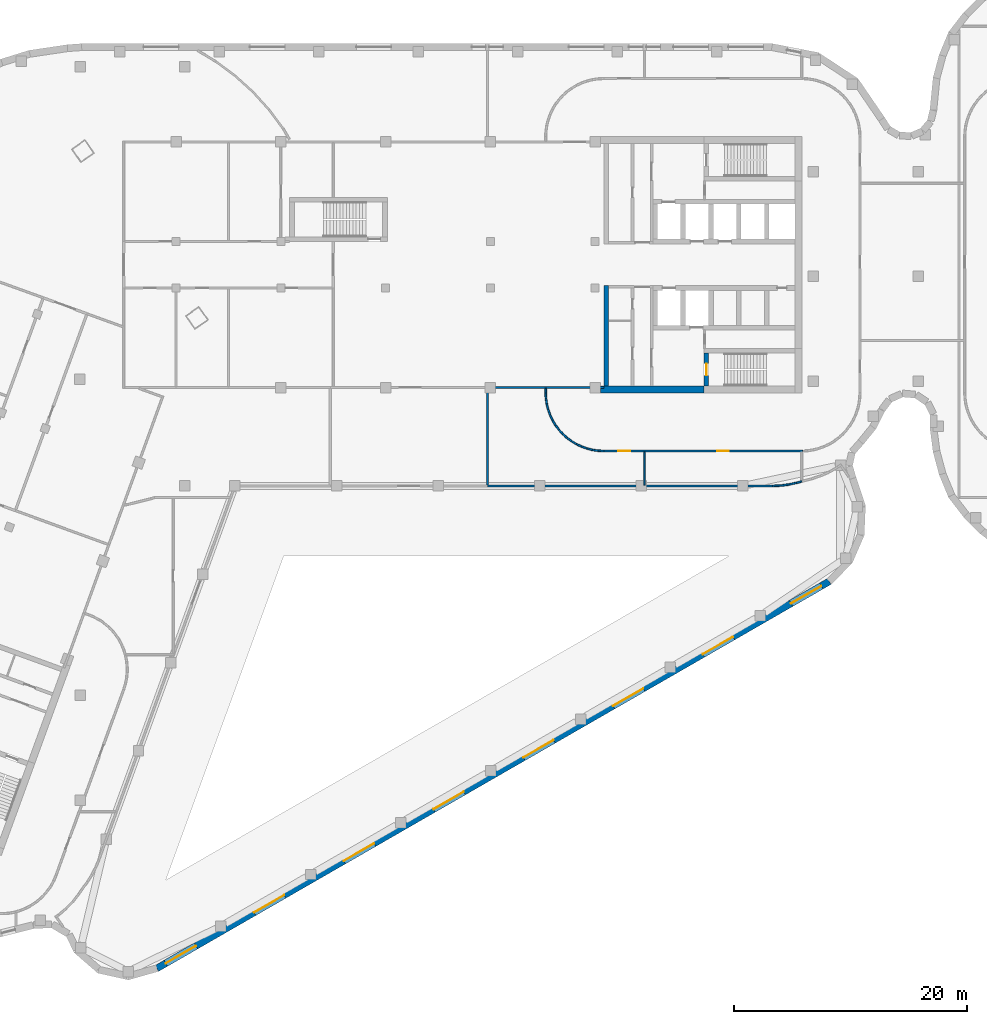
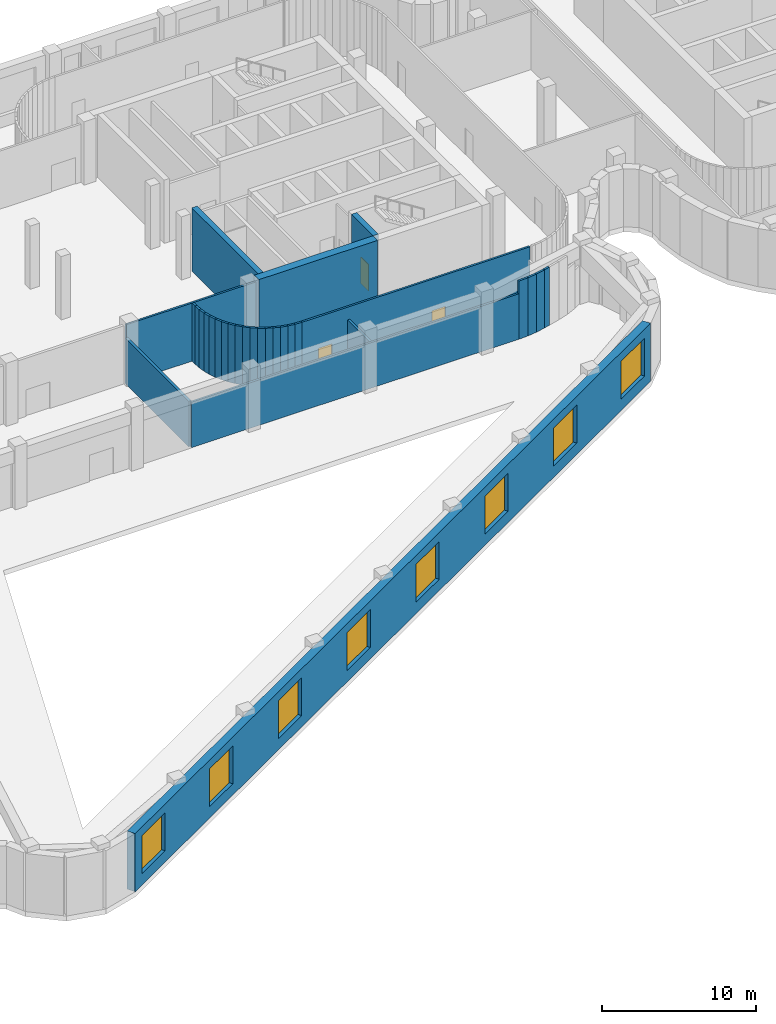
# One storey, part 8 of 20: 30 walls, 8 windows, 3 doors, 11 openings.
"""IFC4 building model written with IfcOpenShell, lengths in metres."""

from ifc_helpers import new_model, si_unit, direction, frame, frame_2d, origin, place, context, subcontext, project, spatial, rectangle, extrude, material, layer, layer_set, type_object, element, fill, save


model = new_model("IFC4")

# Units and contexts
model_context = context("Model", 3, precision=1e-05, world=origin(), true_north=direction((0.0, 1.0)))
body_context = subcontext(model_context, "Body", "Model", "MODEL_VIEW")
ifc_project = project(units=[si_unit("LENGTHUNIT", "METRE"), si_unit("AREAUNIT", "SQUARE_METRE"), si_unit("VOLUMEUNIT", "CUBIC_METRE"), si_unit("PLANEANGLEUNIT", "RADIAN"), si_unit("MASSUNIT", "GRAM", prefix="KILO")], contexts=[model_context])

# Site, building, storey
site_placement = place(None, origin())
site = spatial("IfcSite", under=ifc_project, at=site_placement, CompositionType="ELEMENT")
building_placement = place(site_placement, origin())
building = spatial("IfcBuilding", under=site, at=building_placement, Name="Skarvind Civic Tower", CompositionType="ELEMENT")
storey_placement = place(building_placement, frame((0.0, 0.0, 17.5)))
storey = spatial("IfcBuildingStorey", under=building, at=storey_placement, Name="L03", CompositionType="ELEMENT", Elevation=17.5)

# Wall, opening, door
ifc_material_1 = material(Name="Concrete C80", Category="concrete")
ifc_layer_1 = layer(ifc_material_1, 0.39990234375)
ifc_layer_set_1 = layer_set([ifc_layer_1], Name="Core wall 400 C80")
wall_type_1 = type_object("IfcWallType", Name="Core wall 400 C80", PredefinedType="SHEAR", material=ifc_layer_set_1)
wall_1_placement = place(storey_placement, frame((99.800048828125, 120.39990234375, 0.0), z_axis=(0.0, 0.0, 1.0), x_axis=(0.0, -1.0, 0.0)))
wall_1 = element("IfcWall", 1, at=wall_1_placement, inside=storey, type_object=wall_type_1, Name="Core wall C1 north stair end L03", PredefinedType="SHEAR", context=body_context, shape_type="SweptSolid", body=[
    extrude(rectangle(XDim=2.7998046875, YDim=0.39990234375, at=frame_2d((1.39990234375, 0.0))), origin(), (0.0, 0.0, 1.0), 5.0),
])
opening_1_placement = place(wall_1_placement, frame((0.89990234375, 0.0, 0.0)))
opening_1 = element("IfcOpeningElement", 2, at=opening_1_placement, cuts=wall_1, Name="Opening D-L03-C1-07", PredefinedType="OPENING", context=body_context, shape_type="SweptSolid", body=[
    extrude(rectangle(XDim=1.0, YDim=2.10009765625, at=frame_2d((0.5, 1.050048828125))), frame((0.0, 0.2099609375, 0.0), z_axis=(0.0, -1.0, 0.0), x_axis=(1.0, 0.0, 0.0)), (0.0, 0.0, 1.0), 0.419921875),
])
ifc_material_2 = material(Name="Fire-rated steel door", Category="steel")
door_type_1 = type_object("IfcDoorType", Name="Fire door 1000", OperationType="NOTDEFINED", PredefinedType="DOOR", material=ifc_material_2)
door_1_placement = place(opening_1_placement, origin())
door_1 = element("IfcDoor", 3, at=door_1_placement, inside=storey, type_object=door_type_1, Name="Fire door", OperationType="SINGLE_SWING_LEFT", OverallHeight=2.10009765625, OverallWidth=1.0, PredefinedType="DOOR", context=body_context, shape_type="SweptSolid", body=[
    extrude(rectangle(XDim=1.0, YDim=2.10009765625, at=frame_2d((0.5, 1.050048828125))), frame((0.0, 0.02490234375, 0.0), z_axis=(0.0, -1.0, 0.0), x_axis=(1.0, 0.0, 0.0)), (0.0, 0.0, 1.0), 0.050048828125),
])
fill(opening_1, door_1)

# Walls
wall_2_placement = place(storey_placement, frame((91.199951171875, 126.199951171875, 0.0), z_axis=(0.0, 0.0, 1.0), x_axis=(0.0, -1.0, 0.0)))
element("IfcWall", 4, at=wall_2_placement, inside=storey, type_object=wall_type_1, Name="Core wall C1 north inner face L03", PredefinedType="SHEAR", context=body_context, shape_type="SweptSolid", body=[
    extrude(rectangle(XDim=8.599853515625, YDim=0.39990234375, at=frame_2d((4.2998046875, 0.0))), origin(), (0.0, 0.0, 1.0), 5.0),
])
ifc_layer_2 = layer(ifc_material_1, 0.60009765625)
ifc_layer_set_2 = layer_set([ifc_layer_2], Name="Core wall 600 C80")
wall_type_2 = type_object("IfcWallType", Name="Core wall 600 C80", PredefinedType="SHEAR", material=ifc_layer_set_2)
wall_3_placement = place(storey_placement, frame((99.60009765625, 117.300048828125, 0.0), z_axis=(0.0, 0.0, 1.0), x_axis=(-1.0, 0.0, 0.0)))
element("IfcWall", 5, at=wall_3_placement, inside=storey, type_object=wall_type_2, Name="Core wall C1 north side L03", PredefinedType="SHEAR", context=body_context, shape_type="SweptSolid", body=[
    extrude(rectangle(XDim=8.900146484375, YDim=0.60009765625, at=frame_2d((4.4501953125, 0.0))), origin(), (0.0, 0.0, 1.0), 5.0),
])
ifc_material_3 = material(Name="Fire-rated blockwork wall, plastered", Category="masonry")
ifc_layer_3 = layer(ifc_material_3, 0.199951171875)
ifc_layer_set_3 = layer_set([ifc_layer_3], Name="FIRE WALL 200 EI 60")
wall_type_3 = type_object("IfcWallType", Name="FIRE WALL 200 EI 60", PredefinedType="PARTITIONING", material=ifc_layer_set_3)
wall_4_placement = place(storey_placement, frame((81.0, 109.10009765625, 0.0), z_axis=(0.0, 0.0, 1.0), x_axis=(0.0, 1.0, 0.0)))
element("IfcWall", 6, at=wall_4_placement, inside=storey, type_object=wall_type_3, Name="Podium partition L03 147", PredefinedType="PARTITIONING", context=body_context, shape_type="SweptSolid", body=[
    extrude(rectangle(XDim=8.25, YDim=0.199951171875, at=frame_2d((4.125, 0.0))), origin(), (0.0, 0.0, 1.0), 3.60009765625),
])
ifc_material_4 = material(Name="Plasterboard partition on steel studs", Category="steel")
ifc_layer_4 = layer(ifc_material_4, 0.14990234375)
ifc_layer_set_4 = layer_set([ifc_layer_4], Name="PARTITION 150")
wall_type_4 = type_object("IfcWallType", Name="PARTITION 150", PredefinedType="PARTITIONING", material=ifc_layer_set_4)
wall_5_placement = place(storey_placement, frame((81.0, 109.0, 0.0), z_axis=(0.0, 0.0, 1.0), x_axis=(1.0, 0.0, 0.0)))
element("IfcWall", 7, at=wall_5_placement, inside=storey, type_object=wall_type_4, Name="Podium partition L03 148", PredefinedType="PARTITIONING", context=body_context, shape_type="SweptSolid", body=[
    extrude(rectangle(XDim=24.5, YDim=0.14990234375, at=frame_2d((12.25, 0.0))), origin(), (0.0, 0.0, 1.0), 3.60009765625),
])
wall_6_placement = place(storey_placement, frame((81.0, 117.449951171875, 0.0), z_axis=(0.0, 0.0, 1.0), x_axis=(1.0, 0.0, 0.0)))
element("IfcWall", 8, at=wall_6_placement, inside=storey, type_object=wall_type_4, Name="Podium partition L03 149", PredefinedType="PARTITIONING", context=body_context, shape_type="SweptSolid", body=[
    extrude(rectangle(XDim=10.0, YDim=0.14990234375, at=frame_2d((5.0, 0.0))), origin(), (0.0, 0.0, 1.0), 4.60009765625),
])
wall_7_placement = place(storey_placement, frame((86.0, 116.998046875, 0.0), z_axis=(0.0, 0.0, 1.0), x_axis=(0.0, 1.0, 0.0)))
element("IfcWall", 9, at=wall_7_placement, inside=storey, type_object=wall_type_4, Name="Podium partition L03 151", PredefinedType="PARTITIONING", context=body_context, shape_type="SweptSolid", body=[
    extrude(rectangle(XDim=0.376953125, YDim=0.14990234375, at=frame_2d((0.1884765625, 0.0))), origin(), (0.0, 0.0, 1.0), 4.60009765625),
])
wall_8_placement = place(storey_placement, frame((86.0, 117.001953125, 0.0), z_axis=(0.0, 0.0, 1.0), x_axis=(0.048196018647, -0.998837896651, 0.0)))
element("IfcWall", 10, at=wall_8_placement, inside=storey, type_object=wall_type_4, Name="Podium partition L03 152", PredefinedType="PARTITIONING", context=body_context, shape_type="SweptSolid", body=[
    extrude(rectangle(XDim=0.496337890625, YDim=0.14990234375, at=frame_2d((0.248046875, 0.0))), origin(), (0.0, 0.0, 1.0), 4.60009765625),
])
wall_9_placement = place(storey_placement, frame((86.02294921875, 116.513916015625, 0.0), z_axis=(0.0, 0.0, 1.0), x_axis=(0.148412307247, -0.988925572052, 0.0)))
element("IfcWall", 11, at=wall_9_placement, inside=storey, type_object=wall_type_4, Name="Podium partition L03 155", PredefinedType="PARTITIONING", context=body_context, shape_type="SweptSolid", body=[
    extrude(rectangle(XDim=0.49853515625, YDim=0.14990234375, at=frame_2d((0.249267578125, 0.0))), origin(), (0.0, 0.0, 1.0), 4.60009765625),
])
wall_10_placement = place(storey_placement, frame((86.094970703125, 116.029052734375, 0.0), z_axis=(0.0, 0.0, 1.0), x_axis=(0.242650732785, -0.970113715952, 0.0)))
element("IfcWall", 12, at=wall_10_placement, inside=storey, type_object=wall_type_4, Name="Podium partition L03 157", PredefinedType="PARTITIONING", context=body_context, shape_type="SweptSolid", body=[
    extrude(rectangle(XDim=0.4990234375, YDim=0.14990234375, at=frame_2d((0.24951171875, 0.0))), origin(), (0.0, 0.0, 1.0), 4.60009765625),
])
for number, where, z_axis, x_axis, name in (
    (13, (86.214111328125, 115.552978515625, 0.0), (0.0, 0.0, 1.0), (0.3371744988, -0.941442168887, 0.0), "Podium partition L03 159"),
    (14, (86.37890625, 115.090087890625, 0.0), (0.0, 0.0, 1.0), (0.427896709028, -0.903827641978, 0.0), "Podium partition L03 161"),
):
    element("IfcWall", number, at=place(storey_placement, frame(where, z_axis=z_axis, x_axis=x_axis)), inside=storey, type_object=wall_type_4, Name=name, PredefinedType="PARTITIONING", context=body_context, shape_type="SweptSolid", body=[
        extrude(rectangle(XDim=0.498046875, YDim=0.14990234375, at=frame_2d((0.2490234375, 0.0))), origin(), (0.0, 0.0, 1.0), 4.60009765625),
    ])
wall_11_placement = place(storey_placement, frame((86.587890625, 114.64599609375, 0.0), z_axis=(0.0, 0.0, 1.0), x_axis=(0.515791778052, -0.85671397893, 0.0)))
element("IfcWall", 15, at=wall_11_placement, inside=storey, type_object=wall_type_4, Name="Podium partition L03 163", PredefinedType="PARTITIONING", context=body_context, shape_type="SweptSolid", body=[
    extrude(rectangle(XDim=0.49853515625, YDim=0.14990234375, at=frame_2d((0.249267578125, 0.0))), origin(), (0.0, 0.0, 1.0), 4.60009765625),
])
wall_12_placement = place(storey_placement, frame((86.841064453125, 114.22509765625, 0.0), z_axis=(0.0, 0.0, 1.0), x_axis=(0.594570362092, -0.80404358372, 0.0)))
element("IfcWall", 16, at=wall_12_placement, inside=storey, type_object=wall_type_4, Name="Podium partition L03 165", PredefinedType="PARTITIONING", context=body_context, shape_type="SweptSolid", body=[
    extrude(rectangle(XDim=0.49755859375, YDim=0.14990234375, at=frame_2d((0.248779296875, 0.0))), origin(), (0.0, 0.0, 1.0), 4.60009765625),
])
for number, where, z_axis, x_axis, name in (
    (17, (87.133056640625, 113.8310546875, 0.0), (0.0, 0.0, 1.0), (0.66993818776, -0.742416880587, 0.0), "Podium partition L03 167"),
    (18, (87.4609375, 113.467041015625, 0.0), (0.0, 0.0, 1.0), (0.742416880587, -0.66993818776, 0.0), "Podium partition L03 169"),
):
    element("IfcWall", number, at=place(storey_placement, frame(where, z_axis=z_axis, x_axis=x_axis)), inside=storey, type_object=wall_type_4, Name=name, PredefinedType="PARTITIONING", context=body_context, shape_type="SweptSolid", body=[
        extrude(rectangle(XDim=0.49853515625, YDim=0.14990234375, at=frame_2d((0.249267578125, 0.0))), origin(), (0.0, 0.0, 1.0), 4.60009765625),
    ])
wall_13_placement = place(storey_placement, frame((87.824951171875, 113.136962890625, 0.0), z_axis=(0.0, 0.0, 1.0), x_axis=(0.80404358372, -0.594570362092, 0.0)))
element("IfcWall", 19, at=wall_13_placement, inside=storey, type_object=wall_type_4, Name="Podium partition L03 171", PredefinedType="PARTITIONING", context=body_context, shape_type="SweptSolid", body=[
    extrude(rectangle(XDim=0.49755859375, YDim=0.14990234375, at=frame_2d((0.248779296875, 0.0))), origin(), (0.0, 0.0, 1.0), 4.60009765625),
])
wall_14_placement = place(storey_placement, frame((88.218994140625, 112.844970703125, 0.0), z_axis=(0.0, 0.0, 1.0), x_axis=(0.85671397893, -0.515791778052, 0.0)))
element("IfcWall", 20, at=wall_14_placement, inside=storey, type_object=wall_type_4, Name="Podium partition L03 173", PredefinedType="PARTITIONING", context=body_context, shape_type="SweptSolid", body=[
    extrude(rectangle(XDim=0.49853515625, YDim=0.14990234375, at=frame_2d((0.249267578125, 0.0))), origin(), (0.0, 0.0, 1.0), 4.60009765625),
])
for number, where, z_axis, x_axis, name in (
    (21, (88.639892578125, 112.592041015625, 0.0), (0.0, 0.0, 1.0), (0.903827641978, -0.427896709028, 0.0), "Podium partition L03 175"),
    (22, (89.083984375, 112.382080078125, 0.0), (0.0, 0.0, 1.0), (0.941442168887, -0.3371744988, 0.0), "Podium partition L03 177"),
):
    element("IfcWall", number, at=place(storey_placement, frame(where, z_axis=z_axis, x_axis=x_axis)), inside=storey, type_object=wall_type_4, Name=name, PredefinedType="PARTITIONING", context=body_context, shape_type="SweptSolid", body=[
        extrude(rectangle(XDim=0.498046875, YDim=0.14990234375, at=frame_2d((0.2490234375, 0.0))), origin(), (0.0, 0.0, 1.0), 4.60009765625),
    ])
wall_15_placement = place(storey_placement, frame((89.544921875, 112.216064453125, 0.0), z_axis=(0.0, 0.0, 1.0), x_axis=(0.970113715952, -0.242650732785, 0.0)))
element("IfcWall", 23, at=wall_15_placement, inside=storey, type_object=wall_type_4, Name="Podium partition L03 179", PredefinedType="PARTITIONING", context=body_context, shape_type="SweptSolid", body=[
    extrude(rectangle(XDim=0.4990234375, YDim=0.14990234375, at=frame_2d((0.24951171875, 0.0))), origin(), (0.0, 0.0, 1.0), 4.60009765625),
])
wall_16_placement = place(storey_placement, frame((90.02099609375, 112.096923828125, 0.0), z_axis=(0.0, 0.0, 1.0), x_axis=(0.988925572052, -0.148412307247, 0.0)))
element("IfcWall", 24, at=wall_16_placement, inside=storey, type_object=wall_type_4, Name="Podium partition L03 181", PredefinedType="PARTITIONING", context=body_context, shape_type="SweptSolid", body=[
    extrude(rectangle(XDim=0.49853515625, YDim=0.14990234375, at=frame_2d((0.249267578125, 0.0))), origin(), (0.0, 0.0, 1.0), 4.60009765625),
])
wall_17_placement = place(storey_placement, frame((90.506103515625, 112.02392578125, 0.0), z_axis=(0.0, 0.0, 1.0), x_axis=(0.998837896651, -0.048196018647, 0.0)))
element("IfcWall", 25, at=wall_17_placement, inside=storey, type_object=wall_type_4, Name="Podium partition L03 183", PredefinedType="PARTITIONING", context=body_context, shape_type="SweptSolid", body=[
    extrude(rectangle(XDim=0.496337890625, YDim=0.14990234375, at=frame_2d((0.248046875, 0.0))), origin(), (0.0, 0.0, 1.0), 4.60009765625),
])

# Wall, openings, doors
wall_18_placement = place(storey_placement, frame((108.074951171875, 112.0, 0.0), z_axis=(0.0, 0.0, 1.0), x_axis=(-1.0, 0.0, 0.0)))
wall_18 = element("IfcWall", 26, at=wall_18_placement, inside=storey, type_object=wall_type_4, Name="Podium partition L03 185", PredefinedType="PARTITIONING", context=body_context, shape_type="SweptSolid", body=[
    extrude(rectangle(XDim=17.076904296875, YDim=0.14990234375, at=frame_2d((8.53857421875, 0.0))), origin(), (0.0, 0.0, 1.0), 4.60009765625),
])
opening_2_placement = place(wall_18_placement, frame((14.822998046875, 0.0, 0.0)))
opening_2 = element("IfcOpeningElement", 27, at=opening_2_placement, cuts=wall_18, Name="Opening L03-D226", PredefinedType="OPENING", context=body_context, shape_type="SweptSolid", body=[
    extrude(rectangle(XDim=1.0, YDim=2.10009765625, at=frame_2d((0.5, 1.050048828125))), frame((0.0, 0.0849609375, 0.0), z_axis=(0.0, -1.0, 0.0), x_axis=(1.0, 0.0, 0.0)), (0.0, 0.0, 1.0), 0.169921875),
])
opening_3_placement = place(wall_18_placement, frame((6.326904296875, 0.0, 0.0)))
opening_3 = element("IfcOpeningElement", 28, at=opening_3_placement, cuts=wall_18, Name="Opening L03-D228", PredefinedType="OPENING", context=body_context, shape_type="SweptSolid", body=[
    extrude(rectangle(XDim=1.0, YDim=2.10009765625, at=frame_2d((0.5, 1.050048828125))), frame((0.0, 0.0849609375, 0.0), z_axis=(0.0, -1.0, 0.0), x_axis=(1.0, 0.0, 0.0)), (0.0, 0.0, 1.0), 0.169921875),
])
ifc_material_5 = material(Name="Timber veneer door leaf", Category="wood")
door_type_2 = type_object("IfcDoorType", Name="DOOR 1000X2100 TIMBER", OperationType="NOTDEFINED", PredefinedType="DOOR", material=ifc_material_5)
door_2_placement = place(opening_2_placement, origin())
door_2 = element("IfcDoor", 29, at=door_2_placement, inside=storey, type_object=door_type_2, Name="DOOR DOOR", OperationType="SINGLE_SWING_RIGHT", OverallHeight=2.10009765625, OverallWidth=1.0, PredefinedType="DOOR", context=body_context, shape_type="SweptSolid", body=[
    extrude(rectangle(XDim=1.0, YDim=2.10009765625, at=frame_2d((0.5, 1.050048828125))), frame((0.0, 0.02490234375, 0.0), z_axis=(0.0, -1.0, 0.0), x_axis=(1.0, 0.0, 0.0)), (0.0, 0.0, 1.0), 0.050048828125),
])
fill(opening_2, door_2)
door_3_placement = place(opening_3_placement, origin())
door_3 = element("IfcDoor", 30, at=door_3_placement, inside=storey, type_object=door_type_2, Name="DOOR DOOR", OperationType="SINGLE_SWING_RIGHT", OverallHeight=2.10009765625, OverallWidth=1.0, PredefinedType="DOOR", context=body_context, shape_type="SweptSolid", body=[
    extrude(rectangle(XDim=1.0, YDim=2.10009765625, at=frame_2d((0.5, 1.050048828125))), frame((0.0, 0.02490234375, 0.0), z_axis=(0.0, -1.0, 0.0), x_axis=(1.0, 0.0, 0.0)), (0.0, 0.0, 1.0), 0.050048828125),
])
fill(opening_3, door_3)

# Walls
wall_19_placement = place(storey_placement, frame((94.5, 109.074951171875, 0.0), z_axis=(0.0, 0.0, 1.0), x_axis=(0.0, 1.0, 0.0)))
element("IfcWall", 31, at=wall_19_placement, inside=storey, type_object=wall_type_4, Name="Podium partition L03 187", PredefinedType="PARTITIONING", context=body_context, shape_type="SweptSolid", body=[
    extrude(rectangle(XDim=2.85009765625, YDim=0.14990234375, at=frame_2d((1.425048828125, 0.0))), origin(), (0.0, 0.0, 1.0), 3.60009765625),
])
wall_20_placement = place(storey_placement, frame((105.5, 109.0, 0.0), z_axis=(0.0, 0.0, 1.0), x_axis=(0.999080978163, 0.042862560277, 0.0)))
element("IfcWall", 32, at=wall_20_placement, inside=storey, type_object=wall_type_4, Name="Podium partition L03 189", PredefinedType="PARTITIONING", context=body_context, shape_type="SweptSolid", body=[
    extrude(rectangle(XDim=0.70068359375, YDim=0.14990234375, at=frame_2d((0.350341796875, 0.0))), origin(), (0.0, 0.0, 1.0), 4.60009765625),
])
wall_21_placement = place(storey_placement, frame((106.194091796875, 109.030029296875, 0.0), z_axis=(0.0, 0.0, 1.0), x_axis=(0.991417667389, 0.130732585032, 0.0)))
element("IfcWall", 33, at=wall_21_placement, inside=storey, type_object=wall_type_4, Name="Podium partition L03 190", PredefinedType="PARTITIONING", context=body_context, shape_type="SweptSolid", body=[
    extrude(rectangle(XDim=0.7041015625, YDim=0.14990234375, at=frame_2d((0.35205078125, 0.0))), origin(), (0.0, 0.0, 1.0), 4.60009765625),
])
wall_22_placement = place(storey_placement, frame((106.885986328125, 109.12109375, 0.0), z_axis=(0.0, 0.0, 1.0), x_axis=(0.976301537339, 0.216414667222, 0.0)))
element("IfcWall", 34, at=wall_22_placement, inside=storey, type_object=wall_type_4, Name="Podium partition L03 191", PredefinedType="PARTITIONING", context=body_context, shape_type="SweptSolid", body=[
    extrude(rectangle(XDim=0.70166015625, YDim=0.14990234375, at=frame_2d((0.350830078125, 0.0))), origin(), (0.0, 0.0, 1.0), 4.60009765625),
])
wall_23_placement = place(storey_placement, frame((107.571044921875, 109.27294921875, 0.0), z_axis=(0.0, 0.0, 1.0), x_axis=(0.965896509383, 0.25892843251, 0.0)))
element("IfcWall", 35, at=wall_23_placement, inside=storey, type_object=wall_type_4, Name="Podium partition L03 192", PredefinedType="PARTITIONING", context=body_context, shape_type="SweptSolid", body=[
    extrude(rectangle(XDim=0.444091796875, YDim=0.14990234375, at=frame_2d((0.22216796875, 0.0))), origin(), (0.0, 0.0, 1.0), 4.60009765625),
])

# Wall, openings, windows
ifc_material_6 = material(Name="Limestone masonry cladding on insulated backing", Category="masonry")
ifc_layer_5 = layer(ifc_material_6, 0.60009765625)
ifc_layer_set_5 = layer_set([ifc_layer_5], Name="WX1 STONE FACADE WALL 600")
wall_type_5 = type_object("IfcWallType", Name="WX1 STONE FACADE WALL 600", PredefinedType="SOLIDWALL", material=ifc_layer_set_5)
wall_24_placement = place(storey_placement, frame((110.367919921875, 100.798095703125, 0.0), z_axis=(0.0, 0.0, 1.0), x_axis=(-0.866702553925, -0.498825303107, 0.0)))
wall_24 = element("IfcWall", 36, at=wall_24_placement, inside=storey, type_object=wall_type_5, Name="STONE FACADE WALL", PredefinedType="SOLIDWALL", context=body_context, shape_type="SweptSolid", body=[
    extrude(rectangle(XDim=66.650634765625, YDim=0.60009765625, at=frame_2d((33.3251953125, 0.0))), origin(), (0.0, 0.0, 1.0), 4.60009765625),
])
opening_4_placement = place(wall_24_placement, frame((0.79443359375, 0.0, 0.89990234375)))
opening_4 = element("IfcOpeningElement", 37, at=opening_4_placement, cuts=wall_24, Name="Opening WN2", PredefinedType="OPENING", context=body_context, shape_type="SweptSolid", body=[
    extrude(rectangle(XDim=3.0, YDim=3.0, at=frame_2d((1.5, 1.5))), frame((0.0, 0.31005859375, 0.0), z_axis=(0.0, -1.0, 0.0), x_axis=(1.0, 0.0, 0.0)), (0.0, 0.0, 1.0), 0.6201171875),
])
opening_5_placement = place(wall_24_placement, frame((9.541748046875, 0.0, 0.89990234375)))
opening_5 = element("IfcOpeningElement", 38, at=opening_5_placement, cuts=wall_24, Name="Opening WN2", PredefinedType="OPENING", context=body_context, shape_type="SweptSolid", body=[
    extrude(rectangle(XDim=3.0, YDim=3.0, at=frame_2d((1.5, 1.5))), frame((0.0, 0.31005859375, 0.0), z_axis=(0.0, -1.0, 0.0), x_axis=(1.0, 0.0, 0.0)), (0.0, 0.0, 1.0), 0.6201171875),
])
opening_6_placement = place(wall_24_placement, frame((18.439208984375, 0.0, 0.89990234375)))
opening_6 = element("IfcOpeningElement", 39, at=opening_6_placement, cuts=wall_24, Name="Opening WN2", PredefinedType="OPENING", context=body_context, shape_type="SweptSolid", body=[
    extrude(rectangle(XDim=3.0, YDim=3.0, at=frame_2d((1.5, 1.5))), frame((0.0, 0.31005859375, 0.0), z_axis=(0.0, -1.0, 0.0), x_axis=(1.0, 0.0, 0.0)), (0.0, 0.0, 1.0), 0.6201171875),
])
opening_7_placement = place(wall_24_placement, frame((27.336669921875, 0.0, 0.89990234375)))
opening_7 = element("IfcOpeningElement", 40, at=opening_7_placement, cuts=wall_24, Name="Opening WN2", PredefinedType="OPENING", context=body_context, shape_type="SweptSolid", body=[
    extrude(rectangle(XDim=3.0, YDim=3.0, at=frame_2d((1.5, 1.5))), frame((0.0, 0.31005859375, 0.0), z_axis=(0.0, -1.0, 0.0), x_axis=(1.0, 0.0, 0.0)), (0.0, 0.0, 1.0), 0.6201171875),
])
opening_8_placement = place(wall_24_placement, frame((36.23388671875, 0.0, 0.89990234375)))
opening_8 = element("IfcOpeningElement", 41, at=opening_8_placement, cuts=wall_24, Name="Opening WN2", PredefinedType="OPENING", context=body_context, shape_type="SweptSolid", body=[
    extrude(rectangle(XDim=3.0, YDim=3.0, at=frame_2d((1.5, 1.5))), frame((0.0, 0.31005859375, 0.0), z_axis=(0.0, -1.0, 0.0), x_axis=(1.0, 0.0, 0.0)), (0.0, 0.0, 1.0), 0.6201171875),
])
opening_9_placement = place(wall_24_placement, frame((45.13134765625, 0.0, 0.89990234375)))
opening_9 = element("IfcOpeningElement", 42, at=opening_9_placement, cuts=wall_24, Name="Opening WN2", PredefinedType="OPENING", context=body_context, shape_type="SweptSolid", body=[
    extrude(rectangle(XDim=3.0, YDim=3.0, at=frame_2d((1.5, 1.5))), frame((0.0, 0.31005859375, 0.0), z_axis=(0.0, -1.0, 0.0), x_axis=(1.0, 0.0, 0.0)), (0.0, 0.0, 1.0), 0.6201171875),
])
opening_10_placement = place(wall_24_placement, frame((54.02880859375, 0.0, 0.89990234375)))
opening_10 = element("IfcOpeningElement", 43, at=opening_10_placement, cuts=wall_24, Name="Opening WN2", PredefinedType="OPENING", context=body_context, shape_type="SweptSolid", body=[
    extrude(rectangle(XDim=3.0, YDim=3.0, at=frame_2d((1.5, 1.5))), frame((0.0, 0.31005859375, 0.0), z_axis=(0.0, -1.0, 0.0), x_axis=(1.0, 0.0, 0.0)), (0.0, 0.0, 1.0), 0.6201171875),
])
opening_11_placement = place(wall_24_placement, frame((62.776123046875, 0.0, 0.89990234375)))
opening_11 = element("IfcOpeningElement", 44, at=opening_11_placement, cuts=wall_24, Name="Opening WN2", PredefinedType="OPENING", context=body_context, shape_type="SweptSolid", body=[
    extrude(rectangle(XDim=3.0, YDim=3.0, at=frame_2d((1.5, 1.5))), frame((0.0, 0.31005859375, 0.0), z_axis=(0.0, -1.0, 0.0), x_axis=(1.0, 0.0, 0.0)), (0.0, 0.0, 1.0), 0.6201171875),
])
ifc_material_7 = material(Name="Timber frame, double glazing, timber-lined reveal", Category="wood")
window_type = type_object("IfcWindowType", Name="WN2 PODIUM STONE WINDOW 3000 x 3000", PartitioningType="SINGLE_PANEL", PredefinedType="WINDOW", material=ifc_material_7)
window_1_placement = place(opening_4_placement, origin())
window_1 = element("IfcWindow", 45, at=window_1_placement, inside=storey, type_object=window_type, Name="WN2 WINDOW", OverallHeight=3.0, OverallWidth=3.0, PartitioningType="SINGLE_PANEL", PredefinedType="WINDOW", context=body_context, shape_type="SweptSolid", body=[
    extrude(rectangle(XDim=3.0, YDim=3.0, at=frame_2d((1.5, 1.5))), frame((0.0, 0.030029296875, 0.0), z_axis=(0.0, -1.0, 0.0), x_axis=(1.0, 0.0, 0.0)), (0.0, 0.0, 1.0), 0.06005859375),
])
fill(opening_4, window_1)
window_2_placement = place(opening_5_placement, origin())
window_2 = element("IfcWindow", 46, at=window_2_placement, inside=storey, type_object=window_type, Name="WN2 WINDOW", OverallHeight=3.0, OverallWidth=3.0, PartitioningType="SINGLE_PANEL", PredefinedType="WINDOW", context=body_context, shape_type="SweptSolid", body=[
    extrude(rectangle(XDim=3.0, YDim=3.0, at=frame_2d((1.5, 1.5))), frame((0.0, 0.030029296875, 0.0), z_axis=(0.0, -1.0, 0.0), x_axis=(1.0, 0.0, 0.0)), (0.0, 0.0, 1.0), 0.06005859375),
])
fill(opening_5, window_2)
window_3_placement = place(opening_6_placement, origin())
window_3 = element("IfcWindow", 47, at=window_3_placement, inside=storey, type_object=window_type, Name="WN2 WINDOW", OverallHeight=3.0, OverallWidth=3.0, PartitioningType="SINGLE_PANEL", PredefinedType="WINDOW", context=body_context, shape_type="SweptSolid", body=[
    extrude(rectangle(XDim=3.0, YDim=3.0, at=frame_2d((1.5, 1.5))), frame((0.0, 0.030029296875, 0.0), z_axis=(0.0, -1.0, 0.0), x_axis=(1.0, 0.0, 0.0)), (0.0, 0.0, 1.0), 0.06005859375),
])
fill(opening_6, window_3)
window_4_placement = place(opening_7_placement, origin())
window_4 = element("IfcWindow", 48, at=window_4_placement, inside=storey, type_object=window_type, Name="WN2 WINDOW", OverallHeight=3.0, OverallWidth=3.0, PartitioningType="SINGLE_PANEL", PredefinedType="WINDOW", context=body_context, shape_type="SweptSolid", body=[
    extrude(rectangle(XDim=3.0, YDim=3.0, at=frame_2d((1.5, 1.5))), frame((0.0, 0.030029296875, 0.0), z_axis=(0.0, -1.0, 0.0), x_axis=(1.0, 0.0, 0.0)), (0.0, 0.0, 1.0), 0.06005859375),
])
fill(opening_7, window_4)
window_5_placement = place(opening_8_placement, origin())
window_5 = element("IfcWindow", 49, at=window_5_placement, inside=storey, type_object=window_type, Name="WN2 WINDOW", OverallHeight=3.0, OverallWidth=3.0, PartitioningType="SINGLE_PANEL", PredefinedType="WINDOW", context=body_context, shape_type="SweptSolid", body=[
    extrude(rectangle(XDim=3.0, YDim=3.0, at=frame_2d((1.5, 1.5))), frame((0.0, 0.030029296875, 0.0), z_axis=(0.0, -1.0, 0.0), x_axis=(1.0, 0.0, 0.0)), (0.0, 0.0, 1.0), 0.06005859375),
])
fill(opening_8, window_5)
window_6_placement = place(opening_9_placement, origin())
window_6 = element("IfcWindow", 50, at=window_6_placement, inside=storey, type_object=window_type, Name="WN2 WINDOW", OverallHeight=3.0, OverallWidth=3.0, PartitioningType="SINGLE_PANEL", PredefinedType="WINDOW", context=body_context, shape_type="SweptSolid", body=[
    extrude(rectangle(XDim=3.0, YDim=3.0, at=frame_2d((1.5, 1.5))), frame((0.0, 0.030029296875, 0.0), z_axis=(0.0, -1.0, 0.0), x_axis=(1.0, 0.0, 0.0)), (0.0, 0.0, 1.0), 0.06005859375),
])
fill(opening_9, window_6)
window_7_placement = place(opening_10_placement, origin())
window_7 = element("IfcWindow", 51, at=window_7_placement, inside=storey, type_object=window_type, Name="WN2 WINDOW", OverallHeight=3.0, OverallWidth=3.0, PartitioningType="SINGLE_PANEL", PredefinedType="WINDOW", context=body_context, shape_type="SweptSolid", body=[
    extrude(rectangle(XDim=3.0, YDim=3.0, at=frame_2d((1.5, 1.5))), frame((0.0, 0.030029296875, 0.0), z_axis=(0.0, -1.0, 0.0), x_axis=(1.0, 0.0, 0.0)), (0.0, 0.0, 1.0), 0.06005859375),
])
fill(opening_10, window_7)
window_8_placement = place(opening_11_placement, origin())
window_8 = element("IfcWindow", 52, at=window_8_placement, inside=storey, type_object=window_type, Name="WN2 WINDOW", OverallHeight=3.0, OverallWidth=3.0, PartitioningType="SINGLE_PANEL", PredefinedType="WINDOW", context=body_context, shape_type="SweptSolid", body=[
    extrude(rectangle(XDim=3.0, YDim=3.0, at=frame_2d((1.5, 1.5))), frame((0.0, 0.030029296875, 0.0), z_axis=(0.0, -1.0, 0.0), x_axis=(1.0, 0.0, 0.0)), (0.0, 0.0, 1.0), 0.06005859375),
])
fill(opening_11, window_8)

save(model, "model.ifc")
